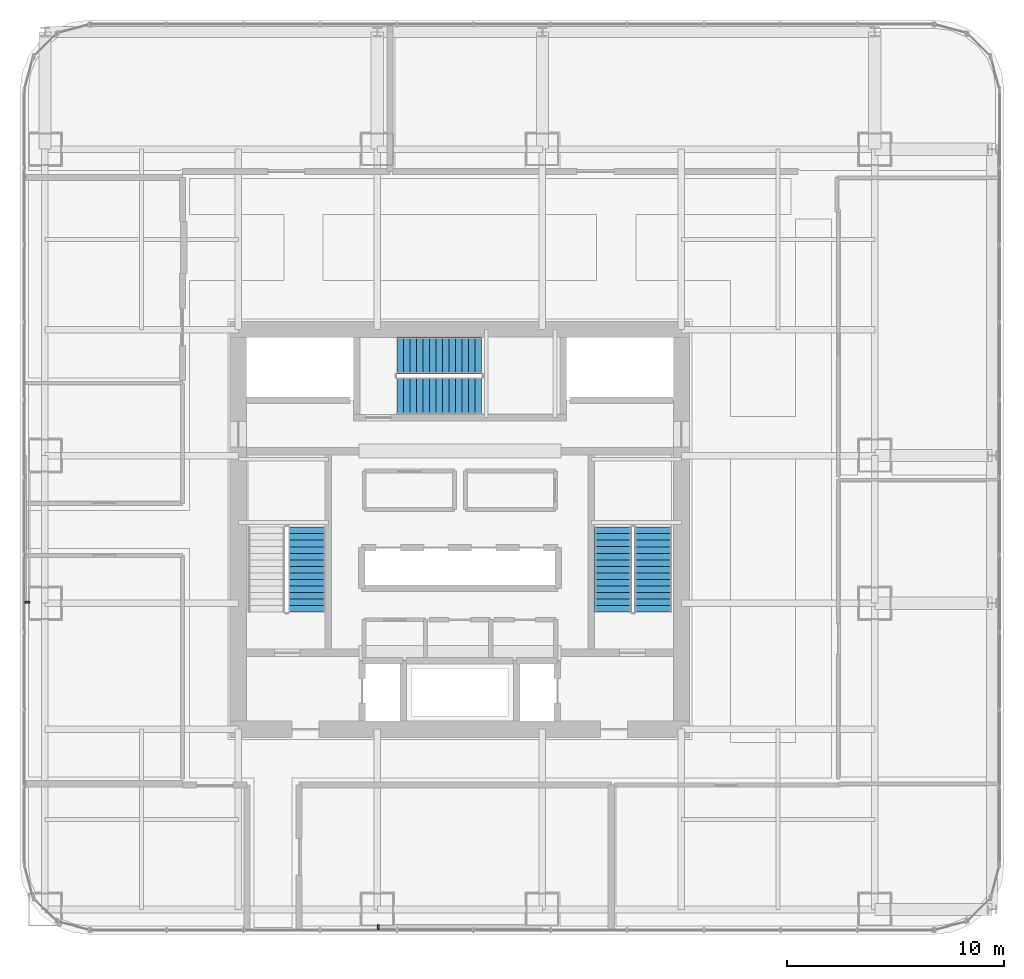
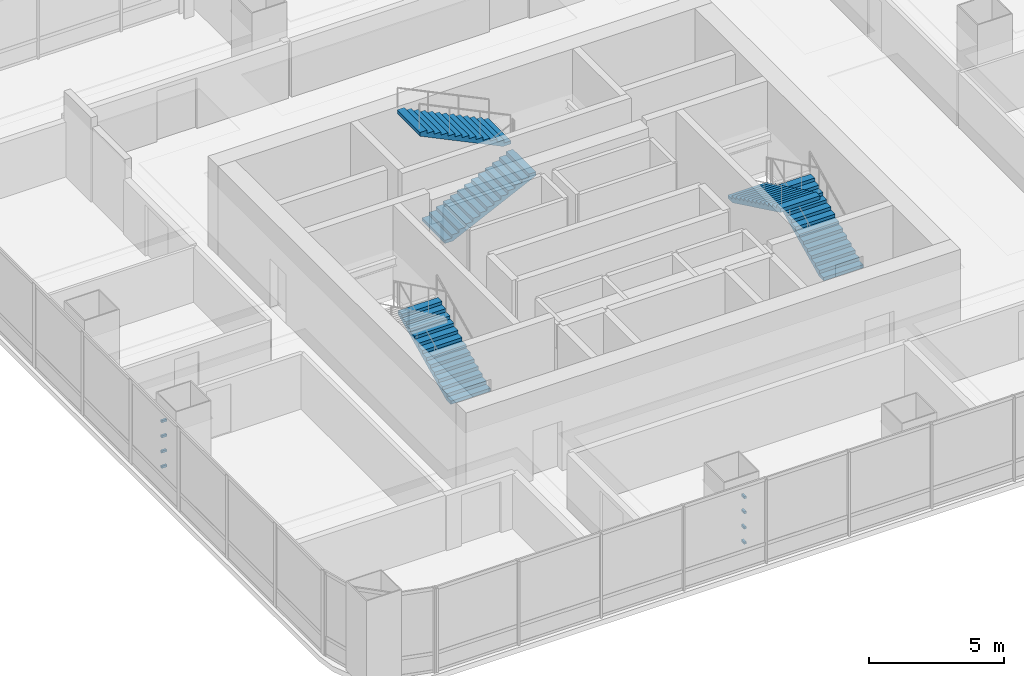
# One storey, part 29 of 34: 8 discrete accessories, 5 stair flights, 3 elements without a shape of their own.
"""IFC4 building model written with IfcOpenShell, lengths in metres."""

from ifc_helpers import new_model, si_unit, direction, frame, origin, origin_2d, place, context, subcontext, project, spatial, polyline, rectangle, outline, extrude, material, type_object, element, aggregate, save


model = new_model("IFC4")

# Units and contexts
model_context = context("Model", 3, precision=1e-05, world=origin(), true_north=direction((0.0, 1.0)))
body_context = subcontext(model_context, "Body", "Model", "MODEL_VIEW")
ifc_project = project(units=[si_unit("LENGTHUNIT", "METRE"), si_unit("AREAUNIT", "SQUARE_METRE"), si_unit("VOLUMEUNIT", "CUBIC_METRE"), si_unit("PLANEANGLEUNIT", "RADIAN"), si_unit("MASSUNIT", "GRAM", prefix="KILO")], contexts=[model_context])

# Site, building, storey
site_placement = place(None, origin())
site = spatial("IfcSite", under=ifc_project, at=site_placement, CompositionType="ELEMENT")
building_placement = place(site_placement, origin())
building = spatial("IfcBuilding", under=site, at=building_placement, Name="Punatoya Terracotta Tower", CompositionType="ELEMENT")
storey_placement = place(building_placement, frame((0.0, 0.0, 105.14990234375)))
storey = spatial("IfcBuildingStorey", under=building, at=storey_placement, Name="L24", CompositionType="ELEMENT", Elevation=105.14990234375)

# Stair, stair flight
ifc_material_1 = material(Name="Concrete C40/50", Category="concrete")
stair_type_1 = type_object("IfcStairType", Name="STR-CORE-1550", PredefinedType="HALF_TURN_STAIR", material=ifc_material_1)
stair_1_placement = place(storey_placement, origin())
stair_1 = element("IfcStair", 1, at=stair_1_placement, inside=storey, type_object=stair_type_1, Name="L24 Protected Core Exit Stair ST-1", PredefinedType="HALF_TURN_STAIR")
stair_flight_type_1 = type_object("IfcStairFlightType", Name="SFL-CORE-1550", PredefinedType="STRAIGHT", material=ifc_material_1)
stair_flight_1_placement = place(storey_placement, frame((-7.050048828125, -3.800048828125, 0.0), z_axis=(0.0, 0.0, 1.0), x_axis=(0.0, 1.0, 0.0)))
stair_flight_1 = element("IfcStairFlight", 2, at=stair_flight_1_placement, type_object=stair_flight_type_1, Name="ST-1 flight 1", NumberOfRisers=14, NumberOfTreads=13, PredefinedType="STRAIGHT", RiserHeight=0.144642857, TreadLength=0.3, context=body_context, shape_type="SweptSolid", body=[
    extrude(outline(polyline([(0.0, 0.0), (0.0, 0.14453125), (0.300048828125, 0.14453125), (0.300048828125, 0.289306640625), (0.60009765625, 0.289306640625), (0.60009765625, 0.433837890625), (0.89990234375, 0.433837890625), (0.89990234375, 0.57861328125), (1.199951171875, 0.57861328125), (1.199951171875, 0.72314453125), (1.5, 0.72314453125), (1.5, 0.867919921875), (1.800048828125, 0.867919921875), (1.800048828125, 1.012451171875), (2.10009765625, 1.012451171875), (2.10009765625, 1.1572265625), (2.39990234375, 1.1572265625), (2.39990234375, 1.3017578125), (2.699951171875, 1.3017578125), (2.699951171875, 1.446533203125), (3.0, 1.446533203125), (3.0, 1.591064453125), (3.300048828125, 1.591064453125), (3.300048828125, 1.735595703125), (3.60009765625, 1.735595703125), (3.60009765625, 1.88037109375), (3.89990234375, 1.88037109375), (3.89990234375, 2.02490234375), (3.89990234375, 1.7138671875), (0.34521484375, 0.0), (0.0, 0.0)])), frame((0.0, 0.85009765625, 0.0), z_axis=(0.0, -1.0, 0.0), x_axis=(1.0, 0.0, 0.0)), (0.0, 0.0, 1.0), 1.699951171875),
])
aggregate(stair_1, [stair_flight_1])

# Stair, stair flights
stair_type_2 = type_object("IfcStairType", Name="STR-LOB-1650", PredefinedType="HALF_TURN_STAIR", material=ifc_material_1)
stair_2_placement = place(storey_placement, origin())
stair_2 = element("IfcStair", 3, at=stair_2_placement, inside=storey, type_object=stair_type_2, Name="L24 Protected Core Exit Stair ST-2", PredefinedType="HALF_TURN_STAIR")
stair_flight_type_2 = type_object("IfcStairFlightType", Name="SFL-LOB-1650", PredefinedType="STRAIGHT", material=ifc_material_1)
stair_flight_2_placement = place(storey_placement, frame((8.89990234375, -3.800048828125, 0.0), z_axis=(0.0, 0.0, 1.0), x_axis=(0.0, 1.0, 0.0)))
stair_flight_2 = element("IfcStairFlight", 4, at=stair_flight_2_placement, type_object=stair_flight_type_2, Name="ST-2 flight 1", NumberOfRisers=14, NumberOfTreads=13, PredefinedType="STRAIGHT", RiserHeight=0.144642857, TreadLength=0.3, context=body_context, shape_type="SweptSolid", body=[
    extrude(outline(polyline([(0.0, 0.0), (0.0, 0.14453125), (0.300048828125, 0.14453125), (0.300048828125, 0.289306640625), (0.60009765625, 0.289306640625), (0.60009765625, 0.433837890625), (0.89990234375, 0.433837890625), (0.89990234375, 0.57861328125), (1.199951171875, 0.57861328125), (1.199951171875, 0.72314453125), (1.5, 0.72314453125), (1.5, 0.867919921875), (1.800048828125, 0.867919921875), (1.800048828125, 1.012451171875), (2.10009765625, 1.012451171875), (2.10009765625, 1.1572265625), (2.39990234375, 1.1572265625), (2.39990234375, 1.3017578125), (2.699951171875, 1.3017578125), (2.699951171875, 1.446533203125), (3.0, 1.446533203125), (3.0, 1.591064453125), (3.300048828125, 1.591064453125), (3.300048828125, 1.735595703125), (3.60009765625, 1.735595703125), (3.60009765625, 1.88037109375), (3.89990234375, 1.88037109375), (3.89990234375, 2.02490234375), (3.89990234375, 1.7138671875), (0.34521484375, 0.0), (0.0, 0.0)])), frame((0.0, 0.85009765625, 0.0), z_axis=(0.0, -1.0, 0.0), x_axis=(1.0, 0.0, 0.0)), (0.0, 0.0, 1.0), 1.699951171875),
])
stair_flight_3_placement = place(storey_placement, frame((7.050048828125, 0.10009765625, 2.025146484375), z_axis=(0.0, 0.0, 1.0), x_axis=(0.0, -1.0, 0.0)))
stair_flight_3 = element("IfcStairFlight", 5, at=stair_flight_3_placement, type_object=stair_flight_type_2, Name="ST-2 flight 2", NumberOfRisers=14, NumberOfTreads=13, PredefinedType="STRAIGHT", RiserHeight=0.144642857, TreadLength=0.3, context=body_context, shape_type="SweptSolid", body=[
    extrude(outline(polyline([(0.0, 0.0), (0.0, 0.14453125), (0.300048828125, 0.14453125), (0.300048828125, 0.289306640625), (0.60009765625, 0.289306640625), (0.60009765625, 0.433837890625), (0.89990234375, 0.433837890625), (0.89990234375, 0.57861328125), (1.199951171875, 0.57861328125), (1.199951171875, 0.72314453125), (1.5, 0.72314453125), (1.5, 0.867919921875), (1.800048828125, 0.867919921875), (1.800048828125, 1.012451171875), (2.10009765625, 1.012451171875), (2.10009765625, 1.1572265625), (2.39990234375, 1.1572265625), (2.39990234375, 1.3017578125), (2.699951171875, 1.3017578125), (2.699951171875, 1.446533203125), (3.0, 1.446533203125), (3.0, 1.591064453125), (3.300048828125, 1.591064453125), (3.300048828125, 1.735595703125), (3.60009765625, 1.735595703125), (3.60009765625, 1.88037109375), (3.89990234375, 1.88037109375), (3.89990234375, 2.02490234375), (3.89990234375, 1.7138671875), (0.34521484375, 0.0), (0.0, 0.0)])), frame((0.0, 0.85009765625, 0.0), z_axis=(0.0, -1.0, 0.0), x_axis=(1.0, 0.0, 0.0)), (0.0, 0.0, 1.0), 1.699951171875),
])
aggregate(stair_2, [stair_flight_2, stair_flight_3])

stair_type_3 = type_object("IfcStairType", Name="STR-TER-1450", PredefinedType="HALF_TURN_STAIR", material=ifc_material_1)
stair_3_placement = place(storey_placement, origin())
stair_3 = element("IfcStair", 6, at=stair_3_placement, inside=storey, type_object=stair_type_3, Name="L24 Protected Core Exit Stair ST-3", PredefinedType="HALF_TURN_STAIR")
stair_flight_type_3 = type_object("IfcStairFlightType", Name="SFL-TER-1450", PredefinedType="STRAIGHT", material=ifc_material_1)
stair_flight_4_placement = place(storey_placement, frame((-2.89990234375, 6.14990234375, 0.0), z_axis=(0.0, 0.0, 1.0), x_axis=(1.0, 0.0, 0.0)))
stair_flight_4 = element("IfcStairFlight", 7, at=stair_flight_4_placement, type_object=stair_flight_type_3, Name="ST-3 flight 1", NumberOfRisers=14, NumberOfTreads=13, PredefinedType="STRAIGHT", RiserHeight=0.144642857, TreadLength=0.3, context=body_context, shape_type="SweptSolid", body=[
    extrude(outline(polyline([(0.0, 0.0), (0.0, 0.14453125), (0.300048828125, 0.14453125), (0.300048828125, 0.289306640625), (0.60009765625, 0.289306640625), (0.60009765625, 0.433837890625), (0.89990234375, 0.433837890625), (0.89990234375, 0.57861328125), (1.199951171875, 0.57861328125), (1.199951171875, 0.72314453125), (1.5, 0.72314453125), (1.5, 0.867919921875), (1.800048828125, 0.867919921875), (1.800048828125, 1.012451171875), (2.10009765625, 1.012451171875), (2.10009765625, 1.1572265625), (2.39990234375, 1.1572265625), (2.39990234375, 1.3017578125), (2.699951171875, 1.3017578125), (2.699951171875, 1.446533203125), (3.0, 1.446533203125), (3.0, 1.591064453125), (3.300048828125, 1.591064453125), (3.300048828125, 1.735595703125), (3.60009765625, 1.735595703125), (3.60009765625, 1.88037109375), (3.89990234375, 1.88037109375), (3.89990234375, 2.02490234375), (3.89990234375, 1.7138671875), (0.34521484375, 0.0), (0.0, 0.0)])), frame((0.0, 0.85009765625, 0.0), z_axis=(0.0, -1.0, 0.0), x_axis=(1.0, 0.0, 0.0)), (0.0, 0.0, 1.0), 1.699951171875),
])
stair_flight_5_placement = place(storey_placement, frame((1.0, 8.0, 2.025146484375), z_axis=(0.0, 0.0, 1.0), x_axis=(-1.0, 0.0, 0.0)))
stair_flight_5 = element("IfcStairFlight", 8, at=stair_flight_5_placement, type_object=stair_flight_type_3, Name="ST-3 flight 2", NumberOfRisers=14, NumberOfTreads=13, PredefinedType="STRAIGHT", RiserHeight=0.144642857, TreadLength=0.3, context=body_context, shape_type="SweptSolid", body=[
    extrude(outline(polyline([(0.0, 0.0), (0.0, 0.14453125), (0.300048828125, 0.14453125), (0.300048828125, 0.289306640625), (0.60009765625, 0.289306640625), (0.60009765625, 0.433837890625), (0.89990234375, 0.433837890625), (0.89990234375, 0.57861328125), (1.199951171875, 0.57861328125), (1.199951171875, 0.72314453125), (1.5, 0.72314453125), (1.5, 0.867919921875), (1.800048828125, 0.867919921875), (1.800048828125, 1.012451171875), (2.10009765625, 1.012451171875), (2.10009765625, 1.1572265625), (2.39990234375, 1.1572265625), (2.39990234375, 1.3017578125), (2.699951171875, 1.3017578125), (2.699951171875, 1.446533203125), (3.0, 1.446533203125), (3.0, 1.591064453125), (3.300048828125, 1.591064453125), (3.300048828125, 1.735595703125), (3.60009765625, 1.735595703125), (3.60009765625, 1.88037109375), (3.89990234375, 1.88037109375), (3.89990234375, 2.02490234375), (3.89990234375, 1.7138671875), (0.34521484375, 0.0), (0.0, 0.0)])), frame((0.0, 0.85009765625, 0.0), z_axis=(0.0, -1.0, 0.0), x_axis=(1.0, 0.0, 0.0)), (0.0, 0.0, 1.0), 1.699951171875),
])
aggregate(stair_3, [stair_flight_4, stair_flight_5])

# Discrete accessories
ifc_material_2 = material(Name="Steel S355", Category="steel")
discrete_accessory_type = type_object("IfcDiscreteAccessoryType", Name="ACC-BRK-220", PredefinedType="BRACKET", material=ifc_material_2)
for number, where, z_axis, x_axis, name in (
    (9, (-3.75, -18.320068359375, 1.10009765625), (0.0, 0.0, 1.0), (1.0, 0.0, 0.0), "L24 Baguette Louvre Column Bracket BAG-L24-S-01"),
    (10, (-3.75, -18.320068359375, 1.786865234375), (0.0, 0.0, 1.0), (1.0, 0.0, 0.0), "L24 Baguette Louvre Column Bracket BAG-L24-S-02"),
    (11, (-3.75, -18.320068359375, 2.473388671875), (0.0, 0.0, 1.0), (1.0, 0.0, 0.0), "L24 Baguette Louvre Column Bracket BAG-L24-S-03"),
    (12, (-3.75, -18.320068359375, 3.16015625), (0.0, 0.0, 1.0), (1.0, 0.0, 0.0), "L24 Baguette Louvre Column Bracket BAG-L24-S-04"),
    (13, (-19.919921875, -3.35009765625, 1.10009765625), (0.0, 0.0, 1.0), (0.0, 1.0, 0.0), "L24 Baguette Louvre Column Bracket BAG-L24-W-01"),
    (14, (-19.919921875, -3.35009765625, 1.786865234375), (0.0, 0.0, 1.0), (0.0, 1.0, 0.0), "L24 Baguette Louvre Column Bracket BAG-L24-W-02"),
    (15, (-19.919921875, -3.35009765625, 2.473388671875), (0.0, 0.0, 1.0), (0.0, 1.0, 0.0), "L24 Baguette Louvre Column Bracket BAG-L24-W-03"),
    (16, (-19.919921875, -3.35009765625, 3.16015625), (0.0, 0.0, 1.0), (0.0, 1.0, 0.0), "L24 Baguette Louvre Column Bracket BAG-L24-W-04"),
):
    element("IfcDiscreteAccessory", number, at=place(storey_placement, frame(where, z_axis=z_axis, x_axis=x_axis)), inside=storey, type_object=discrete_accessory_type, Name=name, PredefinedType="BRACKET", context=body_context, shape_type="SweptSolid", body=[
        extrude(rectangle(XDim=0.090087890625, YDim=0.219970703125, at=origin_2d()), origin(), (0.0, 0.0, 1.0), 0.10009765625),
    ])

save(model, "model.ifc")
